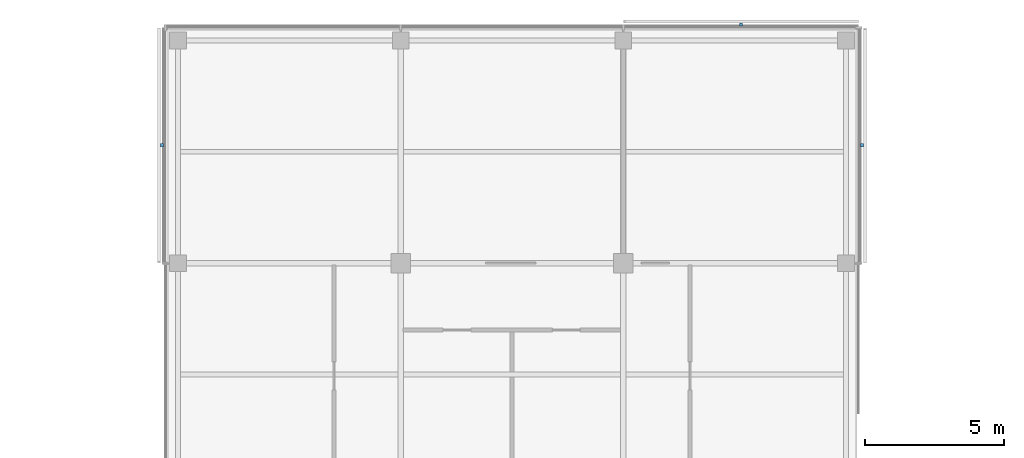
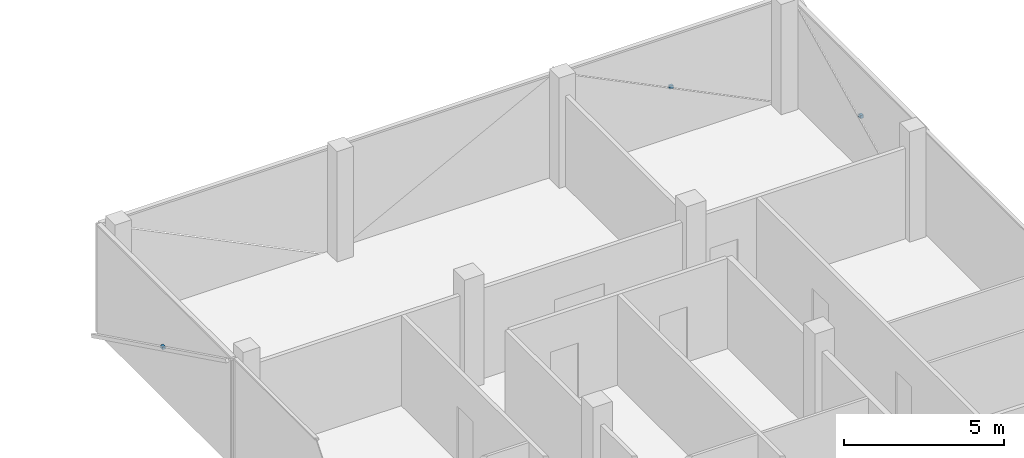
# One storey, part 15 of 16: 3 discrete accessories.
"""IFC4 building model written with IfcOpenShell, lengths in metres."""

from ifc_helpers import new_model, si_unit, direction, frame, origin, origin_2d, place, context, subcontext, project, spatial, rectangle, extrude, material, type_object, element, save


model = new_model("IFC4")

# Units and contexts
model_context = context("Model", 3, precision=1e-05, world=origin(), true_north=direction((0.0, 1.0)))
body_context = subcontext(model_context, "Body", "Model", "MODEL_VIEW")
ifc_project = project(units=[si_unit("LENGTHUNIT", "METRE"), si_unit("AREAUNIT", "SQUARE_METRE"), si_unit("VOLUMEUNIT", "CUBIC_METRE"), si_unit("PLANEANGLEUNIT", "RADIAN"), si_unit("MASSUNIT", "GRAM", prefix="KILO")], contexts=[model_context])

# Site, building, storey
site_placement = place(None, origin())
site = spatial("IfcSite", under=ifc_project, at=site_placement, CompositionType="ELEMENT")
building_placement = place(site_placement, origin())
building = spatial("IfcBuilding", under=site, at=building_placement, Name="Crosswind Convention Tower", CompositionType="ELEMENT")
storey_placement = place(building_placement, frame((0.0, 0.0, 274.5)))
storey = spatial("IfcBuildingStorey", under=building, at=storey_placement, Name="L59", CompositionType="ELEMENT", Elevation=274.5)

# Discrete accessories
ifc_material = material(Name="Stainless steel", Category="steel")
discrete_accessory_type = type_object("IfcDiscreteAccessoryType", Name="BAGUETTE BRACKET BK3", PredefinedType="BRACKET", material=ifc_material)
for number, where, z_axis, x_axis, name in (
    (1, (137.575927734375, 124.22998046875, 1.704833984375), (0.0, 0.0, 1.0), (0.0, 1.0, 0.0), "BK3 baguette bracket"),
    (2, (133.22998046875, 128.575927734375, 1.704833984375), (0.0, 0.0, 1.0), (-1.0, 0.0, 0.0), "BK3 baguette bracket"),
    (3, (112.424072265625, 124.22998046875, 1.704833984375), (0.0, 0.0, 1.0), (0.0, -1.0, 0.0), "BK3 baguette bracket"),
):
    element("IfcDiscreteAccessory", number, at=place(storey_placement, frame(where, z_axis=z_axis, x_axis=x_axis)), inside=storey, type_object=discrete_accessory_type, Name=name, PredefinedType="BRACKET", context=body_context, shape_type="SweptSolid", body=[
        extrude(rectangle(XDim=0.1201171875, YDim=0.10009765625, at=origin_2d()), origin(), (0.0, 0.0, 1.0), 0.1201171875),
    ])

save(model, "model.ifc")
